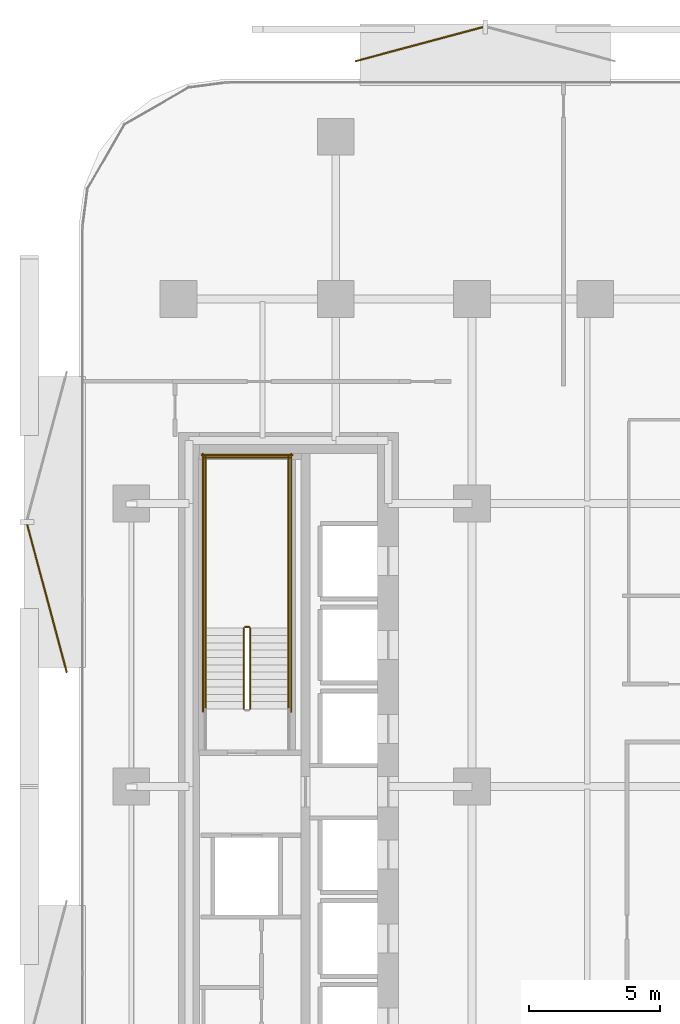
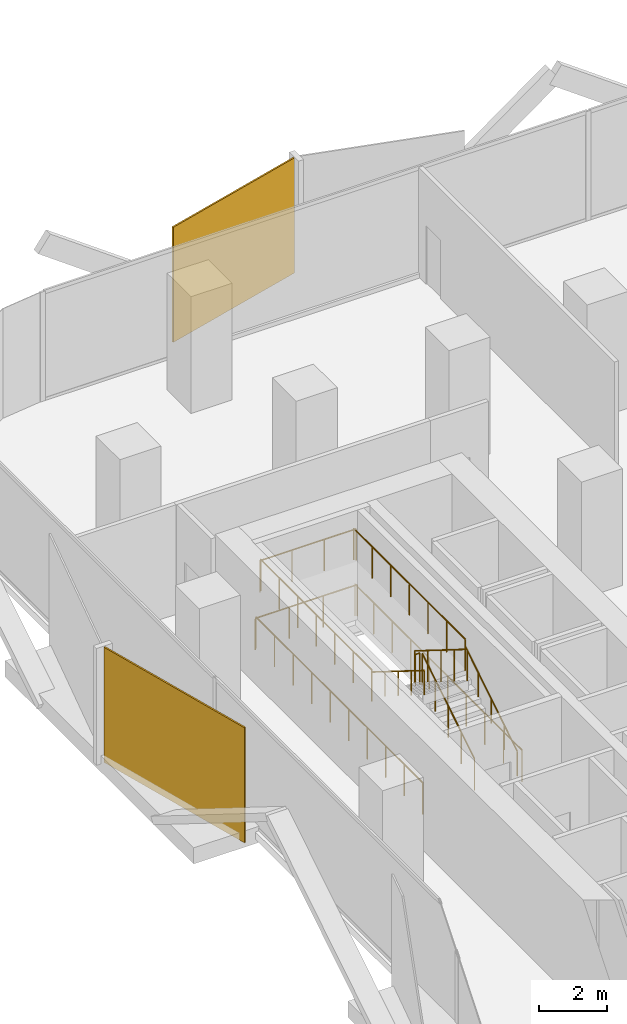
# One storey, part 14 of 15: 11 railings, 2 coverings.
"""IFC4 building model written with IfcOpenShell, lengths in metres."""

from ifc_helpers import new_model, si_unit, direction, frame, origin, origin_2d, place, context, subcontext, project, spatial, rectangle, circle, extrude, material, layer, layer_set, type_object, element, save


model = new_model("IFC4")

# Units and contexts
model_context = context("Model", 3, precision=1e-05, world=origin(), true_north=direction((0.0, 1.0)))
body_context = subcontext(model_context, "Body", "Model", "MODEL_VIEW")
ifc_project = project(units=[si_unit("LENGTHUNIT", "METRE"), si_unit("AREAUNIT", "SQUARE_METRE"), si_unit("VOLUMEUNIT", "CUBIC_METRE"), si_unit("PLANEANGLEUNIT", "RADIAN"), si_unit("MASSUNIT", "GRAM", prefix="KILO")], contexts=[model_context])

# Site, building, storey
site_placement = place(None, origin())
site = spatial("IfcSite", under=ifc_project, at=site_placement, CompositionType="ELEMENT")
building_placement = place(site_placement, origin())
building = spatial("IfcBuilding", under=site, at=building_placement, Name="Khairoan Windgate Tower", CompositionType="ELEMENT")
storey_placement = place(building_placement, frame((0.0, 0.0, 47.0)))
storey = spatial("IfcBuildingStorey", under=building, at=storey_placement, Name="L11", CompositionType="ELEMENT", Elevation=47.0)

# Coverings
ifc_material_1 = material(Name="Anodised Bronze Aluminium 6063-T6", Category="aluminium")
ifc_layer = layer(ifc_material_1, 0.054931640625, Name="Anodised Bronze Aluminium 6063-T6")
ifc_layer_set = layer_set([ifc_layer], Name="Anodised Bronze Aluminium 6063-T6")
covering_type = type_object("IfcCoveringType", Name="Perforated Bronze-Ceramic Folded Solar Screen Cladding BSC-1", PredefinedType="CLADDING", material=ifc_layer_set)
covering_1_placement = place(storey_placement, frame((-25.42236328125, 7.177734375, -0.10009765625), z_axis=(0.0, 0.0, 1.0), x_axis=(-0.258819045103, 0.965925826289, 0.0)))
element("IfcCovering", 1, at=covering_1_placement, inside=storey, type_object=covering_type, Name="L11 Folded Bronze Solar Screen Facet 44L", PredefinedType="CLADDING", context=body_context, shape_type="SweptSolid", body=[
    extrude(rectangle(XDim=5.85498046875, YDim=0.054931640625, at=origin_2d()), origin(), (0.0, 0.0, 1.0), 4.139892578125),
])
covering_2_placement = place(storey_placement, frame((-11.220947265625, 28.327392578125, -0.10009765625), z_axis=(0.0, 0.0, 1.0), x_axis=(0.965925826289, 0.258819045103, 0.0)))
element("IfcCovering", 2, at=covering_2_placement, inside=storey, type_object=covering_type, Name="L11 Folded Bronze Solar Screen Facet 45L", PredefinedType="CLADDING", context=body_context, shape_type="SweptSolid", body=[
    extrude(rectangle(XDim=5.04296875, YDim=0.054931640625, at=origin_2d()), origin(), (0.0, 0.0, 1.0), 4.139892578125),
])

# Railings
ifc_material_2 = material(Name="Anodised Bronze Aluminium 6063-T6", Category="aluminium")
railing_type_1 = type_object("IfcRailingType", Name="Stair Wall Handrail SHR-900", PredefinedType="HANDRAIL", material=ifc_material_2)
railing_1_placement = place(storey_placement, frame((-16.199951171875, 2.9599609375, 0.175048828125)))
element("IfcRailing", 3, at=railing_1_placement, inside=storey, type_object=railing_type_1, Name="L11 ST2 stair handrail 1", PredefinedType="HANDRAIL", context=body_context, shape_type="SweptSolid", body=[
    extrude(circle(Radius=0.02392578125, at=origin_2d()), frame((0.0, 0.0, 0.8759765625), z_axis=(0.0, 0.847998304005, 0.529998940003), x_axis=(-1.0, 0.0, 0.0)), (0.0, 0.0, 1.0), 3.632080078125),
    extrude(circle(Radius=0.02099609375, at=origin_2d()), origin(), (0.0, 0.0, 1.0), 0.851806640625),
    extrude(circle(Radius=0.02099609375, at=origin_2d()), frame((0.0, 0.77001953125, 0.481201171875)), (0.0, 0.0, 1.0), 0.851806640625),
    extrude(circle(Radius=0.02099609375, at=origin_2d()), frame((0.0, 1.5400390625, 0.96240234375)), (0.0, 0.0, 1.0), 0.851806640625),
    extrude(circle(Radius=0.02099609375, at=origin_2d()), frame((0.0, 2.31005859375, 1.44384765625)), (0.0, 0.0, 1.0), 0.851806640625),
    extrude(circle(Radius=0.02099609375, at=origin_2d()), frame((0.0, 3.080078125, 1.925048828125)), (0.0, 0.0, 1.0), 0.851806640625),
])
railing_2_placement = place(storey_placement, frame((-19.3701171875, 6.0400390625, 2.27490234375)))
element("IfcRailing", 4, at=railing_2_placement, inside=storey, type_object=railing_type_1, Name="L11 ST2 stair handrail 2", PredefinedType="HANDRAIL", context=body_context, shape_type="SweptSolid", body=[
    extrude(circle(Radius=0.02392578125, at=origin_2d()), frame((0.0, 0.0, 0.8759765625), z_axis=(0.0, -0.847998304005, 0.529998940003), x_axis=(1.0, 0.0, 0.0)), (0.0, 0.0, 1.0), 3.632080078125),
    extrude(circle(Radius=0.02099609375, at=origin_2d()), origin(), (0.0, 0.0, 1.0), 0.851806640625),
    extrude(circle(Radius=0.02099609375, at=origin_2d()), frame((0.0, -0.77001953125, 0.481201171875)), (0.0, 0.0, 1.0), 0.851806640625),
    extrude(circle(Radius=0.02099609375, at=origin_2d()), frame((0.0, -1.5400390625, 0.96240234375)), (0.0, 0.0, 1.0), 0.851806640625),
    extrude(circle(Radius=0.02099609375, at=origin_2d()), frame((0.0, -2.31005859375, 1.44384765625)), (0.0, 0.0, 1.0), 0.851806640625),
    extrude(circle(Radius=0.02099609375, at=origin_2d()), frame((0.0, -3.080078125, 1.925048828125)), (0.0, 0.0, 1.0), 0.851806640625),
])
ifc_material_3 = material(Name="Steel S355", Category="steel")
railing_type_2 = type_object("IfcRailingType", Name="Stairwell Safety Guardrail SGR-1150", PredefinedType="GUARDRAIL", material=ifc_material_3)
railing_3_placement = place(storey_placement, frame((-17.659912109375, 2.9599609375, 0.175048828125)))
element("IfcRailing", 5, at=railing_3_placement, inside=storey, type_object=railing_type_2, Name="L11 ST2 stair guard 1", PredefinedType="GUARDRAIL", context=body_context, shape_type="SweptSolid", body=[
    extrude(circle(Radius=0.02392578125, at=origin_2d()), frame((0.0, 0.0, 1.1259765625), z_axis=(0.0, 0.847998304005, 0.529998940003), x_axis=(-1.0, 0.0, 0.0)), (0.0, 0.0, 1.0), 3.632080078125),
    extrude(circle(Radius=0.02099609375, at=origin_2d()), origin(), (0.0, 0.0, 1.0), 1.101806640625),
    extrude(circle(Radius=0.02099609375, at=origin_2d()), frame((0.0, 0.77001953125, 0.481201171875)), (0.0, 0.0, 1.0), 1.101806640625),
    extrude(circle(Radius=0.02099609375, at=origin_2d()), frame((0.0, 1.5400390625, 0.96240234375)), (0.0, 0.0, 1.0), 1.101806640625),
    extrude(circle(Radius=0.02099609375, at=origin_2d()), frame((0.0, 2.31005859375, 1.44384765625)), (0.0, 0.0, 1.0), 1.101806640625),
    extrude(circle(Radius=0.02099609375, at=origin_2d()), frame((0.0, 3.080078125, 1.925048828125)), (0.0, 0.0, 1.0), 1.101806640625),
])
railing_4_placement = place(storey_placement, frame((-17.7099609375, 6.090087890625, 2.10009765625)))
element("IfcRailing", 6, at=railing_4_placement, inside=storey, type_object=railing_type_2, Name="L11 ST2 stair guard 2", PredefinedType="GUARDRAIL", context=body_context, shape_type="SweptSolid", body=[
    extrude(circle(Radius=0.02392578125, at=origin_2d()), frame((0.0, 0.0, 1.1259765625), z_axis=(-1.0, 0.0, 0.0), x_axis=(0.0, -1.0, 0.0)), (0.0, 0.0, 1.0), 0.150146484375),
    extrude(circle(Radius=0.02099609375, at=origin_2d()), origin(), (0.0, 0.0, 1.0), 1.101806640625),
    extrude(circle(Radius=0.02099609375, at=origin_2d()), frame((-0.150146484375, 0.0, 0.0)), (0.0, 0.0, 1.0), 1.101806640625),
])
for number, where, name in (
    (7, (-16.199951171875, 6.0400390625, 2.10009765625), "L11 ST2 stair guard 3"),
    (8, (-19.3701171875, 6.0400390625, 2.10009765625), "L11 ST2 stair guard 4"),
):
    element("IfcRailing", number, at=place(storey_placement, frame(where)), inside=storey, type_object=railing_type_2, Name=name, PredefinedType="GUARDRAIL", context=body_context, shape_type="SweptSolid", body=[
        extrude(circle(Radius=0.02392578125, at=origin_2d()), frame((0.0, 0.0, 1.1259765625), z_axis=(0.0, 1.0, 0.0), x_axis=(-1.0, 0.0, 0.0)), (0.0, 0.0, 1.0), 6.56005859375),
        extrude(circle(Radius=0.02099609375, at=origin_2d()), origin(), (0.0, 0.0, 1.0), 1.101806640625),
        extrude(circle(Radius=0.02099609375, at=origin_2d()), frame((0.0, 1.09326171875, 0.0)), (0.0, 0.0, 1.0), 1.101806640625),
        extrude(circle(Radius=0.02099609375, at=origin_2d()), frame((0.0, 2.186767578125, 0.0)), (0.0, 0.0, 1.0), 1.101806640625),
        extrude(circle(Radius=0.02099609375, at=origin_2d()), frame((0.0, 3.280029296875, 0.0)), (0.0, 0.0, 1.0), 1.101806640625),
        extrude(circle(Radius=0.02099609375, at=origin_2d()), frame((0.0, 4.373291015625, 0.0)), (0.0, 0.0, 1.0), 1.101806640625),
        extrude(circle(Radius=0.02099609375, at=origin_2d()), frame((0.0, 5.466796875, 0.0)), (0.0, 0.0, 1.0), 1.101806640625),
        extrude(circle(Radius=0.02099609375, at=origin_2d()), frame((0.0, 6.56005859375, 0.0)), (0.0, 0.0, 1.0), 1.101806640625),
    ])
railing_5_placement = place(storey_placement, frame((-16.14990234375, 12.550048828125, 2.10009765625)))
element("IfcRailing", 9, at=railing_5_placement, inside=storey, type_object=railing_type_2, Name="L11 ST2 stair guard 5", PredefinedType="GUARDRAIL", context=body_context, shape_type="SweptSolid", body=[
    extrude(circle(Radius=0.02392578125, at=origin_2d()), frame((0.0, 0.0, 1.1259765625), z_axis=(-1.0, 0.0, 0.0), x_axis=(0.0, -1.0, 0.0)), (0.0, 0.0, 1.0), 3.27001953125),
    extrude(circle(Radius=0.02099609375, at=origin_2d()), origin(), (0.0, 0.0, 1.0), 1.101806640625),
    extrude(circle(Radius=0.02099609375, at=origin_2d()), frame((-1.090087890625, 0.0, 0.0)), (0.0, 0.0, 1.0), 1.101806640625),
    extrude(circle(Radius=0.02099609375, at=origin_2d()), frame((-2.179931640625, 0.0, 0.0)), (0.0, 0.0, 1.0), 1.101806640625),
    extrude(circle(Radius=0.02099609375, at=origin_2d()), frame((-3.27001953125, 0.0, 0.0)), (0.0, 0.0, 1.0), 1.101806640625),
])
railing_6_placement = place(storey_placement, frame((-17.909912109375, 6.0400390625, 2.27490234375)))
element("IfcRailing", 10, at=railing_6_placement, inside=storey, type_object=railing_type_2, Name="L11 ST2 stair guard 6", PredefinedType="GUARDRAIL", context=body_context, shape_type="SweptSolid", body=[
    extrude(circle(Radius=0.02392578125, at=origin_2d()), frame((0.0, 0.0, 1.1259765625), z_axis=(0.0, -0.847998304005, 0.529998940003), x_axis=(1.0, 0.0, 0.0)), (0.0, 0.0, 1.0), 3.632080078125),
    extrude(circle(Radius=0.02099609375, at=origin_2d()), origin(), (0.0, 0.0, 1.0), 1.101806640625),
    extrude(circle(Radius=0.02099609375, at=origin_2d()), frame((0.0, -0.77001953125, 0.481201171875)), (0.0, 0.0, 1.0), 1.101806640625),
    extrude(circle(Radius=0.02099609375, at=origin_2d()), frame((0.0, -1.5400390625, 0.96240234375)), (0.0, 0.0, 1.0), 1.101806640625),
    extrude(circle(Radius=0.02099609375, at=origin_2d()), frame((0.0, -2.31005859375, 1.44384765625)), (0.0, 0.0, 1.0), 1.101806640625),
    extrude(circle(Radius=0.02099609375, at=origin_2d()), frame((0.0, -3.080078125, 1.925048828125)), (0.0, 0.0, 1.0), 1.101806640625),
])
for number, where, name in (
    (11, (-16.10009765625, 2.860107421875, 0.0), "L11 ST2 stair guard 10"),
    (12, (-19.469970703125, 2.860107421875, 0.0), "L11 ST2 stair guard 11"),
):
    element("IfcRailing", number, at=place(storey_placement, frame(where)), inside=storey, type_object=railing_type_2, Name=name, PredefinedType="GUARDRAIL", context=body_context, shape_type="SweptSolid", body=[
        extrude(circle(Radius=0.02392578125, at=origin_2d()), frame((0.0, 0.0, 1.1259765625), z_axis=(0.0, 1.0, 0.0), x_axis=(-1.0, 0.0, 0.0)), (0.0, 0.0, 1.0), 9.83984375),
        extrude(circle(Radius=0.02099609375, at=origin_2d()), origin(), (0.0, 0.0, 1.0), 1.101806640625),
        extrude(circle(Radius=0.02099609375, at=origin_2d()), frame((0.0, 1.09326171875, 0.0)), (0.0, 0.0, 1.0), 1.101806640625),
        extrude(circle(Radius=0.02099609375, at=origin_2d()), frame((0.0, 2.1865234375, 0.0)), (0.0, 0.0, 1.0), 1.101806640625),
        extrude(circle(Radius=0.02099609375, at=origin_2d()), frame((0.0, 3.280029296875, 0.0)), (0.0, 0.0, 1.0), 1.101806640625),
        extrude(circle(Radius=0.02099609375, at=origin_2d()), frame((0.0, 4.373291015625, 0.0)), (0.0, 0.0, 1.0), 1.101806640625),
        extrude(circle(Radius=0.02099609375, at=origin_2d()), frame((0.0, 5.466552734375, 0.0)), (0.0, 0.0, 1.0), 1.101806640625),
        extrude(circle(Radius=0.02099609375, at=origin_2d()), frame((0.0, 6.559814453125, 0.0)), (0.0, 0.0, 1.0), 1.101806640625),
        extrude(circle(Radius=0.02099609375, at=origin_2d()), frame((0.0, 7.6533203125, 0.0)), (0.0, 0.0, 1.0), 1.101806640625),
        extrude(circle(Radius=0.02099609375, at=origin_2d()), frame((0.0, 8.74658203125, 0.0)), (0.0, 0.0, 1.0), 1.101806640625),
        extrude(circle(Radius=0.02099609375, at=origin_2d()), frame((0.0, 9.83984375, 0.0)), (0.0, 0.0, 1.0), 1.101806640625),
    ])
railing_7_placement = place(storey_placement, frame((-16.050048828125, 12.64990234375, 0.0)))
element("IfcRailing", 13, at=railing_7_placement, inside=storey, type_object=railing_type_2, Name="L11 ST2 stair guard 12", PredefinedType="GUARDRAIL", context=body_context, shape_type="SweptSolid", body=[
    extrude(circle(Radius=0.02392578125, at=origin_2d()), frame((0.0, 0.0, 1.1259765625), z_axis=(-1.0, 0.0, 0.0), x_axis=(0.0, -1.0, 0.0)), (0.0, 0.0, 1.0), 3.469970703125),
    extrude(circle(Radius=0.02099609375, at=origin_2d()), origin(), (0.0, 0.0, 1.0), 1.101806640625),
    extrude(circle(Radius=0.02099609375, at=origin_2d()), frame((-1.15673828125, 0.0, 0.0)), (0.0, 0.0, 1.0), 1.101806640625),
    extrude(circle(Radius=0.02099609375, at=origin_2d()), frame((-2.313232421875, 0.0, 0.0)), (0.0, 0.0, 1.0), 1.101806640625),
    extrude(circle(Radius=0.02099609375, at=origin_2d()), frame((-3.469970703125, 0.0, 0.0)), (0.0, 0.0, 1.0), 1.101806640625),
])

save(model, "model.ifc")
